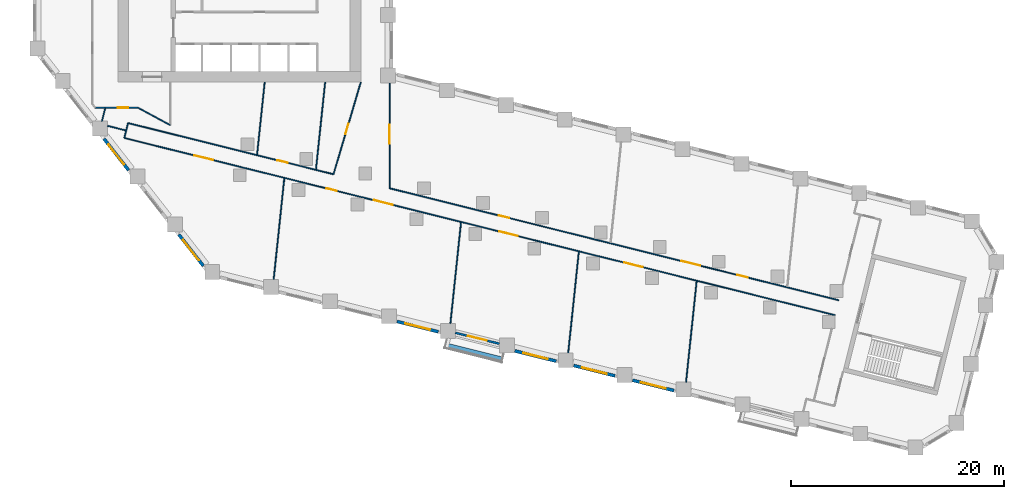
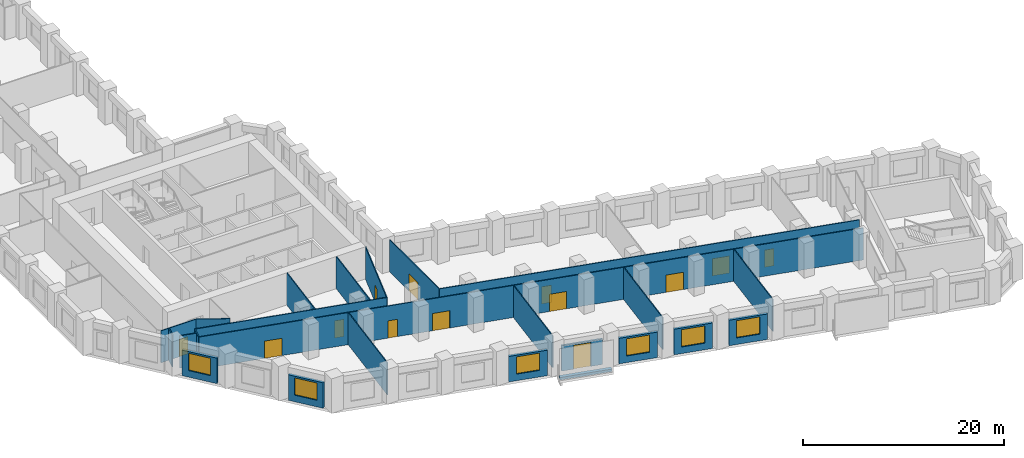
# One storey, part 3 of 11: 24 walls, 13 doors, 6 windows, 19 openings.
"""IFC4 building model written with IfcOpenShell, lengths in metres."""

from ifc_helpers import new_model, si_unit, direction, frame, frame_2d, origin, place, context, subcontext, project, spatial, rectangle, extrude, material, layer, layer_set, type_object, element, fill, save


model = new_model("IFC4")

# Units and contexts
model_context = context("Model", 3, precision=1e-05, world=origin(), true_north=direction((0.0, 1.0)))
body_context = subcontext(model_context, "Body", "Model", "MODEL_VIEW")
ifc_project = project(units=[si_unit("LENGTHUNIT", "METRE"), si_unit("AREAUNIT", "SQUARE_METRE"), si_unit("VOLUMEUNIT", "CUBIC_METRE"), si_unit("PLANEANGLEUNIT", "RADIAN"), si_unit("MASSUNIT", "GRAM", prefix="KILO")], contexts=[model_context])

# Site, building, storey
site_placement = place(None, origin())
site = spatial("IfcSite", under=ifc_project, at=site_placement, CompositionType="ELEMENT")
building_placement = place(site_placement, origin())
building = spatial("IfcBuilding", under=site, at=building_placement, Name="Meshkara Civic Tower", CompositionType="ELEMENT")
storey_placement = place(building_placement, frame((0.0, 0.0, 54.0)))
storey = spatial("IfcBuildingStorey", under=building, at=storey_placement, Name="L11", CompositionType="ELEMENT", Elevation=54.0)

# Wall, opening, door
ifc_material_1 = material(Name="Corridor wall 100")
ifc_layer_1 = layer(ifc_material_1, 0.10009765625)
ifc_layer_set_1 = layer_set([ifc_layer_1], Name="Corridor wall 100")
wall_type_1 = type_object("IfcWallType", Name="Corridor wall 100", PredefinedType="PARTITIONING", material=ifc_layer_set_1)
wall_1_placement = place(storey_placement, frame((5.867919921875, 11.699951171875, 0.0), z_axis=(0.0, 0.0, 1.0), x_axis=(1.0, 0.0, 0.0)))
wall_1 = element("IfcWall", 1, at=wall_1_placement, inside=storey, type_object=wall_type_1, Name="L11-W007", PredefinedType="PARTITIONING", context=body_context, shape_type="SweptSolid", body=[
    extrude(rectangle(XDim=4.031982421875, YDim=0.10009765625, at=frame_2d((2.01611328125, 0.0))), origin(), (0.0, 0.0, 1.0), 3.89990234375),
])
opening_1_placement = place(wall_1_placement, frame((2.10888671875, 0.0, 0.0)))
opening_1 = element("IfcOpeningElement", 2, at=opening_1_placement, cuts=wall_1, Name="Opening L11-D012", PredefinedType="OPENING", context=body_context, shape_type="SweptSolid", body=[
    extrude(rectangle(XDim=1.0, YDim=2.10009765625, at=frame_2d((0.5, 1.050048828125))), frame((0.0, 0.06005859375, 0.0), z_axis=(0.0, -1.0, 0.0), x_axis=(1.0, 0.0, 0.0)), (0.0, 0.0, 1.0), 0.1201171875),
])
ifc_material_2 = material(Name="Door 1000 x 2100")
door_type_1 = type_object("IfcDoorType", Name="Door 1000 x 2100", OperationType="SINGLE_SWING_LEFT", PredefinedType="DOOR", material=ifc_material_2)
door_1_placement = place(opening_1_placement, origin())
door_1 = element("IfcDoor", 3, at=door_1_placement, inside=storey, type_object=door_type_1, Name="L11-D012", OperationType="SINGLE_SWING_LEFT", OverallHeight=2.10009765625, OverallWidth=1.0, PredefinedType="DOOR", context=body_context, shape_type="SweptSolid", body=[
    extrude(rectangle(XDim=1.0, YDim=2.10009765625, at=frame_2d((0.5, 1.050048828125))), frame((0.0, 0.02490234375, 0.0), z_axis=(0.0, -1.0, 0.0), x_axis=(1.0, 0.0, 0.0)), (0.0, 0.0, 1.0), 0.050048828125),
])
fill(opening_1, door_1)

# Wall, openings, doors
wall_2_placement = place(storey_placement, frame((8.593994140625, 8.862060546875, 0.0), z_axis=(0.0, 0.0, 1.0), x_axis=(0.970292243361, -0.241935864379, 0.0)))
wall_2 = element("IfcWall", 4, at=wall_2_placement, inside=storey, type_object=wall_type_1, Name="L11-W009", PredefinedType="PARTITIONING", context=body_context, shape_type="SweptSolid", body=[
    extrude(rectangle(XDim=68.775146484375, YDim=0.10009765625, at=frame_2d((34.3876953125, 0.0))), origin(), (0.0, 0.0, 1.0), 3.89990234375),
])
opening_2_placement = place(wall_2_placement, frame((36.264892578125, 0.0, 0.0)))
opening_2 = element("IfcOpeningElement", 5, at=opening_2_placement, cuts=wall_2, Name="Opening L11-D003", PredefinedType="OPENING", context=body_context, shape_type="SweptSolid", body=[
    extrude(rectangle(XDim=1.800048828125, YDim=2.10009765625, at=frame_2d((0.89990234375, 1.050048828125))), frame((0.0, 0.06005859375, 0.0), z_axis=(0.0, -1.0, 0.0), x_axis=(1.0, 0.0, 0.0)), (0.0, 0.0, 1.0), 0.1201171875),
])
opening_3_placement = place(wall_2_placement, frame((48.364990234375, 0.0, 0.0)))
opening_3 = element("IfcOpeningElement", 6, at=opening_3_placement, cuts=wall_2, Name="Opening L11-D004", PredefinedType="OPENING", context=body_context, shape_type="SweptSolid", body=[
    extrude(rectangle(XDim=1.800048828125, YDim=2.10009765625, at=frame_2d((0.89990234375, 1.050048828125))), frame((0.0, 0.06005859375, 0.0), z_axis=(0.0, -1.0, 0.0), x_axis=(1.0, 0.0, 0.0)), (0.0, 0.0, 1.0), 0.1201171875),
])
opening_4_placement = place(wall_2_placement, frame((19.56494140625, 0.0, 0.0)))
opening_4 = element("IfcOpeningElement", 7, at=opening_4_placement, cuts=wall_2, Name="Opening L11-D008", PredefinedType="OPENING", context=body_context, shape_type="SweptSolid", body=[
    extrude(rectangle(XDim=1.0, YDim=2.10009765625, at=frame_2d((0.5, 1.050048828125))), frame((0.0, 0.06005859375, 0.0), z_axis=(0.0, -1.0, 0.0), x_axis=(1.0, 0.0, 0.0)), (0.0, 0.0, 1.0), 0.1201171875),
])
opening_5_placement = place(wall_2_placement, frame((24.1650390625, 0.0, 0.0)))
opening_5 = element("IfcOpeningElement", 8, at=opening_5_placement, cuts=wall_2, Name="Opening L11-D009", PredefinedType="OPENING", context=body_context, shape_type="SweptSolid", body=[
    extrude(rectangle(XDim=1.800048828125, YDim=2.10009765625, at=frame_2d((0.89990234375, 1.050048828125))), frame((0.0, 0.06005859375, 0.0), z_axis=(0.0, -1.0, 0.0), x_axis=(1.0, 0.0, 0.0)), (0.0, 0.0, 1.0), 0.1201171875),
])
opening_6_placement = place(wall_2_placement, frame((6.780029296875, 0.0, 0.0)))
opening_6 = element("IfcOpeningElement", 9, at=opening_6_placement, cuts=wall_2, Name="Opening L11-D013", PredefinedType="OPENING", context=body_context, shape_type="SweptSolid", body=[
    extrude(rectangle(XDim=1.800048828125, YDim=2.10009765625, at=frame_2d((0.89990234375, 1.050048828125))), frame((0.0, 0.06005859375, 0.0), z_axis=(0.0, -1.0, 0.0), x_axis=(1.0, 0.0, 0.0)), (0.0, 0.0, 1.0), 0.1201171875),
])
door_2_placement = place(opening_4_placement, origin())
door_2 = element("IfcDoor", 10, at=door_2_placement, inside=storey, type_object=door_type_1, Name="L11-D008", OperationType="SINGLE_SWING_RIGHT", OverallHeight=2.10009765625, OverallWidth=1.0, PredefinedType="DOOR", context=body_context, shape_type="SweptSolid", body=[
    extrude(rectangle(XDim=1.0, YDim=2.10009765625, at=frame_2d((0.5, 1.050048828125))), frame((0.0, 0.02490234375, 0.0), z_axis=(0.0, -1.0, 0.0), x_axis=(1.0, 0.0, 0.0)), (0.0, 0.0, 1.0), 0.050048828125),
])
fill(opening_4, door_2)
ifc_material_3 = material(Name="Door pair 1800 x 2100")
door_type_2 = type_object("IfcDoorType", Name="Door pair 1800 x 2100", OperationType="SINGLE_SWING_LEFT", PredefinedType="DOOR", material=ifc_material_3)
door_3_placement = place(opening_2_placement, origin())
door_3 = element("IfcDoor", 11, at=door_3_placement, inside=storey, type_object=door_type_2, Name="L11-D003", OperationType="DOUBLE_DOOR_SINGLE_SWING", OverallHeight=2.10009765625, OverallWidth=1.800048828125, PredefinedType="DOOR", context=body_context, shape_type="SweptSolid", body=[
    extrude(rectangle(XDim=1.800048828125, YDim=2.10009765625, at=frame_2d((0.89990234375, 1.050048828125))), frame((0.0, 0.02490234375, 0.0), z_axis=(0.0, -1.0, 0.0), x_axis=(1.0, 0.0, 0.0)), (0.0, 0.0, 1.0), 0.050048828125),
])
fill(opening_2, door_3)
door_4_placement = place(opening_3_placement, origin())
door_4 = element("IfcDoor", 12, at=door_4_placement, inside=storey, type_object=door_type_2, Name="L11-D004", OperationType="DOUBLE_DOOR_SINGLE_SWING", OverallHeight=2.10009765625, OverallWidth=1.800048828125, PredefinedType="DOOR", context=body_context, shape_type="SweptSolid", body=[
    extrude(rectangle(XDim=1.800048828125, YDim=2.10009765625, at=frame_2d((0.89990234375, 1.050048828125))), frame((0.0, 0.02490234375, 0.0), z_axis=(0.0, -1.0, 0.0), x_axis=(1.0, 0.0, 0.0)), (0.0, 0.0, 1.0), 0.050048828125),
])
fill(opening_3, door_4)
door_5_placement = place(opening_5_placement, origin())
door_5 = element("IfcDoor", 13, at=door_5_placement, inside=storey, type_object=door_type_2, Name="L11-D009", OperationType="DOUBLE_DOOR_SINGLE_SWING", OverallHeight=2.10009765625, OverallWidth=1.800048828125, PredefinedType="DOOR", context=body_context, shape_type="SweptSolid", body=[
    extrude(rectangle(XDim=1.800048828125, YDim=2.10009765625, at=frame_2d((0.89990234375, 1.050048828125))), frame((0.0, 0.02490234375, 0.0), z_axis=(0.0, -1.0, 0.0), x_axis=(1.0, 0.0, 0.0)), (0.0, 0.0, 1.0), 0.050048828125),
])
fill(opening_5, door_5)
door_6_placement = place(opening_6_placement, origin())
door_6 = element("IfcDoor", 14, at=door_6_placement, inside=storey, type_object=door_type_2, Name="L11-D013", OperationType="DOUBLE_DOOR_SINGLE_SWING", OverallHeight=2.10009765625, OverallWidth=1.800048828125, PredefinedType="DOOR", context=body_context, shape_type="SweptSolid", body=[
    extrude(rectangle(XDim=1.800048828125, YDim=2.10009765625, at=frame_2d((0.89990234375, 1.050048828125))), frame((0.0, 0.02490234375, 0.0), z_axis=(0.0, -1.0, 0.0), x_axis=(1.0, 0.0, 0.0)), (0.0, 0.0, 1.0), 0.050048828125),
])
fill(opening_6, door_6)

# Wall, opening, door
wall_3_placement = place(storey_placement, frame((8.944091796875, 10.263916015625, 0.0), z_axis=(0.0, 0.0, 1.0), x_axis=(0.970300504447, -0.241902730595, 0.0)))
wall_3 = element("IfcWall", 15, at=wall_3_placement, inside=storey, type_object=wall_type_1, Name="L11-W010", PredefinedType="PARTITIONING", context=body_context, shape_type="SweptSolid", body=[
    extrude(rectangle(XDim=19.879150390625, YDim=0.10009765625, at=frame_2d((9.939453125, 0.0))), origin(), (0.0, 0.0, 1.0), 3.89990234375),
])
opening_7_placement = place(wall_3_placement, frame((14.449951171875, 0.0, 0.0)))
opening_7 = element("IfcOpeningElement", 16, at=opening_7_placement, cuts=wall_3, Name="Opening L11-D014", PredefinedType="OPENING", context=body_context, shape_type="SweptSolid", body=[
    extrude(rectangle(XDim=1.0, YDim=2.10009765625, at=frame_2d((0.5, 1.050048828125))), frame((0.0, 0.06005859375, 0.0), z_axis=(0.0, -1.0, 0.0), x_axis=(1.0, 0.0, 0.0)), (0.0, 0.0, 1.0), 0.1201171875),
])
door_7_placement = place(opening_7_placement, origin())
door_7 = element("IfcDoor", 17, at=door_7_placement, inside=storey, type_object=door_type_1, Name="L11-D014", OperationType="SINGLE_SWING_LEFT", OverallHeight=2.10009765625, OverallWidth=1.0, PredefinedType="DOOR", context=body_context, shape_type="SweptSolid", body=[
    extrude(rectangle(XDim=1.0, YDim=2.10009765625, at=frame_2d((0.5, 1.050048828125))), frame((0.0, 0.02490234375, 0.0), z_axis=(0.0, -1.0, 0.0), x_axis=(1.0, 0.0, 0.0)), (0.0, 0.0, 1.0), 0.050048828125),
])
fill(opening_7, door_7)

# Walls
wall_4_placement = place(storey_placement, frame((8.944091796875, 10.263916015625, 0.0), z_axis=(0.0, 0.0, 1.0), x_axis=(-0.242297077633, -0.970202105837, 0.0)))
element("IfcWall", 18, at=wall_4_placement, inside=storey, type_object=wall_type_1, Name="L11-W011", PredefinedType="PARTITIONING", context=body_context, shape_type="SweptSolid", body=[
    extrude(rectangle(XDim=1.44482421875, YDim=0.10009765625, at=frame_2d((0.722412109375, 0.0))), origin(), (0.0, 0.0, 1.0), 3.89990234375),
])
wall_5_placement = place(storey_placement, frame((9.89990234375, 11.699951171875, 0.0), z_axis=(0.0, 0.0, 1.0), x_axis=(0.87965147249, -0.475618846291, 0.0)))
element("IfcWall", 19, at=wall_5_placement, inside=storey, type_object=wall_type_1, Name="L11-W012", PredefinedType="PARTITIONING", context=body_context, shape_type="SweptSolid", body=[
    extrude(rectangle(XDim=3.410400390625, YDim=0.10009765625, at=frame_2d((1.705078125, 0.0))), origin(), (0.0, 0.0, 1.0), 3.89990234375),
])

# Wall, opening, door
wall_6_placement = place(storey_placement, frame((30.800048828125, 14.10009765625, 0.0), z_axis=(0.0, 0.0, 1.0), x_axis=(-0.284664373847, -0.95862724469, 0.0)))
wall_6 = element("IfcWall", 20, at=wall_6_placement, inside=storey, type_object=wall_type_1, Name="L11-W022", PredefinedType="PARTITIONING", context=body_context, shape_type="SweptSolid", body=[
    extrude(rectangle(XDim=9.01806640625, YDim=0.10009765625, at=frame_2d((4.509033203125, 0.0))), origin(), (0.0, 0.0, 1.0), 3.89990234375),
])
opening_8_placement = place(wall_6_placement, frame((4.080078125, 0.0, 0.0)))
opening_8 = element("IfcOpeningElement", 21, at=opening_8_placement, cuts=wall_6, Name="Opening L11-D015", PredefinedType="OPENING", context=body_context, shape_type="SweptSolid", body=[
    extrude(rectangle(XDim=1.0, YDim=2.10009765625, at=frame_2d((0.5, 1.050048828125))), frame((0.0, 0.06005859375, 0.0), z_axis=(0.0, -1.0, 0.0), x_axis=(1.0, 0.0, 0.0)), (0.0, 0.0, 1.0), 0.1201171875),
])
door_8_placement = place(opening_8_placement, origin())
door_8 = element("IfcDoor", 22, at=door_8_placement, inside=storey, type_object=door_type_1, Name="L11-D015", OperationType="SINGLE_SWING_LEFT", OverallHeight=2.10009765625, OverallWidth=1.0, PredefinedType="DOOR", context=body_context, shape_type="SweptSolid", body=[
    extrude(rectangle(XDim=1.0, YDim=2.10009765625, at=frame_2d((0.5, 1.050048828125))), frame((0.0, 0.02490234375, 0.0), z_axis=(0.0, -1.0, 0.0), x_axis=(1.0, 0.0, 0.0)), (0.0, 0.0, 1.0), 0.050048828125),
])
fill(opening_8, door_8)

# Wall, openings, doors
wall_7_placement = place(storey_placement, frame((33.5, 4.14111328125, 0.0), z_axis=(0.0, 0.0, 1.0), x_axis=(0.970298574657, -0.24191047108, 0.0)))
wall_7 = element("IfcWall", 23, at=wall_7_placement, inside=storey, type_object=wall_type_1, Name="L11-W023", PredefinedType="PARTITIONING", context=body_context, shape_type="SweptSolid", body=[
    extrude(rectangle(XDim=43.467041015625, YDim=0.10009765625, at=frame_2d((21.7333984375, 0.0))), origin(), (0.0, 0.0, 1.0), 3.89990234375),
])
opening_9_placement = place(wall_7_placement, frame((28.242919921875, 0.0, 0.0)))
opening_9 = element("IfcOpeningElement", 24, at=opening_9_placement, cuts=wall_7, Name="Opening L11-D005", PredefinedType="OPENING", context=body_context, shape_type="SweptSolid", body=[
    extrude(rectangle(XDim=1.800048828125, YDim=2.10009765625, at=frame_2d((0.89990234375, 1.050048828125))), frame((0.0, 0.06005859375, 0.0), z_axis=(0.0, -1.0, 0.0), x_axis=(1.0, 0.0, 0.0)), (0.0, 0.0, 1.0), 0.1201171875),
])
opening_10_placement = place(wall_7_placement, frame((33.64306640625, 0.0, 0.0)))
opening_10 = element("IfcOpeningElement", 25, at=opening_10_placement, cuts=wall_7, Name="Opening L11-D006", PredefinedType="OPENING", context=body_context, shape_type="SweptSolid", body=[
    extrude(rectangle(XDim=1.0, YDim=2.10009765625, at=frame_2d((0.5, 1.050048828125))), frame((0.0, 0.06005859375, 0.0), z_axis=(0.0, -1.0, 0.0), x_axis=(1.0, 0.0, 0.0)), (0.0, 0.0, 1.0), 0.1201171875),
])
opening_11_placement = place(wall_7_placement, frame((10.580078125, 0.0, 0.0)))
opening_11 = element("IfcOpeningElement", 26, at=opening_11_placement, cuts=wall_7, Name="Opening L11-D010", PredefinedType="OPENING", context=body_context, shape_type="SweptSolid", body=[
    extrude(rectangle(XDim=1.0, YDim=2.10009765625, at=frame_2d((0.5, 1.050048828125))), frame((0.0, 0.06005859375, 0.0), z_axis=(0.0, -1.0, 0.0), x_axis=(1.0, 0.0, 0.0)), (0.0, 0.0, 1.0), 0.1201171875),
])
door_9_placement = place(opening_10_placement, origin())
door_9 = element("IfcDoor", 27, at=door_9_placement, inside=storey, type_object=door_type_1, Name="L11-D006", OperationType="SINGLE_SWING_RIGHT", OverallHeight=2.10009765625, OverallWidth=1.0, PredefinedType="DOOR", context=body_context, shape_type="SweptSolid", body=[
    extrude(rectangle(XDim=1.0, YDim=2.10009765625, at=frame_2d((0.5, 1.050048828125))), frame((0.0, 0.02490234375, 0.0), z_axis=(0.0, -1.0, 0.0), x_axis=(1.0, 0.0, 0.0)), (0.0, 0.0, 1.0), 0.050048828125),
])
fill(opening_10, door_9)
door_10_placement = place(opening_11_placement, origin())
door_10 = element("IfcDoor", 28, at=door_10_placement, inside=storey, type_object=door_type_1, Name="L11-D010", OperationType="SINGLE_SWING_RIGHT", OverallHeight=2.10009765625, OverallWidth=1.0, PredefinedType="DOOR", context=body_context, shape_type="SweptSolid", body=[
    extrude(rectangle(XDim=1.0, YDim=2.10009765625, at=frame_2d((0.5, 1.050048828125))), frame((0.0, 0.02490234375, 0.0), z_axis=(0.0, -1.0, 0.0), x_axis=(1.0, 0.0, 0.0)), (0.0, 0.0, 1.0), 0.050048828125),
])
fill(opening_11, door_10)
door_11_placement = place(opening_9_placement, origin())
door_11 = element("IfcDoor", 29, at=door_11_placement, inside=storey, type_object=door_type_2, Name="L11-D005", OperationType="DOUBLE_DOOR_SINGLE_SWING", OverallHeight=2.10009765625, OverallWidth=1.800048828125, PredefinedType="DOOR", context=body_context, shape_type="SweptSolid", body=[
    extrude(rectangle(XDim=1.800048828125, YDim=2.10009765625, at=frame_2d((0.89990234375, 1.050048828125))), frame((0.0, 0.02490234375, 0.0), z_axis=(0.0, -1.0, 0.0), x_axis=(1.0, 0.0, 0.0)), (0.0, 0.0, 1.0), 0.050048828125),
])
fill(opening_9, door_11)

# Wall, opening, door
wall_8_placement = place(storey_placement, frame((33.5, 4.14111328125, 0.0), z_axis=(0.0, 0.0, 1.0), x_axis=(0.0, 1.0, 0.0)))
wall_8 = element("IfcWall", 30, at=wall_8_placement, inside=storey, type_object=wall_type_1, Name="L11-W024", PredefinedType="PARTITIONING", context=body_context, shape_type="SweptSolid", body=[
    extrude(rectangle(XDim=9.8779296875, YDim=0.10009765625, at=frame_2d((4.93896484375, 0.0))), origin(), (0.0, 0.0, 1.0), 3.89990234375),
])
opening_12_placement = place(wall_8_placement, frame((4.179931640625, 0.0, 0.0)))
opening_12 = element("IfcOpeningElement", 31, at=opening_12_placement, cuts=wall_8, Name="Opening L11-D016", PredefinedType="OPENING", context=body_context, shape_type="SweptSolid", body=[
    extrude(rectangle(XDim=1.800048828125, YDim=2.10009765625, at=frame_2d((0.89990234375, 1.050048828125))), frame((0.0, 0.06005859375, 0.0), z_axis=(0.0, -1.0, 0.0), x_axis=(1.0, 0.0, 0.0)), (0.0, 0.0, 1.0), 0.1201171875),
])
door_12_placement = place(opening_12_placement, origin())
door_12 = element("IfcDoor", 32, at=door_12_placement, inside=storey, type_object=door_type_2, Name="L11-D016", OperationType="DOUBLE_DOOR_SINGLE_SWING", OverallHeight=2.10009765625, OverallWidth=1.800048828125, PredefinedType="DOOR", context=body_context, shape_type="SweptSolid", body=[
    extrude(rectangle(XDim=1.800048828125, YDim=2.10009765625, at=frame_2d((0.89990234375, 1.050048828125))), frame((0.0, 0.02490234375, 0.0), z_axis=(0.0, -1.0, 0.0), x_axis=(1.0, 0.0, 0.0)), (0.0, 0.0, 1.0), 0.050048828125),
])
fill(opening_12, door_12)

# Wall, opening, window
ifc_material_4 = material(Name="Insulated infill panel with bronze anodised aluminium cladding", Category="aluminium")
ifc_layer_2 = layer(ifc_material_4, 0.300048828125)
ifc_layer_set_2 = layer_set([ifc_layer_2], Name="EXTERNAL INFILL WALL 300")
wall_type_2 = type_object("IfcWallType", Name="EXTERNAL INFILL WALL 300", PredefinedType="SOLIDWALL", material=ifc_layer_set_2)
wall_9_placement = place(storey_placement, frame((6.69189453125, 8.778076171875, 0.0), z_axis=(0.0, 0.0, 1.0), x_axis=(0.615767067156, -0.787928244833, 0.0)))
wall_9 = element("IfcWall", 33, at=wall_9_placement, inside=storey, type_object=wall_type_2, Name="External wall", PredefinedType="SOLIDWALL", context=body_context, shape_type="SweptSolid", body=[
    extrude(rectangle(XDim=3.7353515625, YDim=0.300048828125, at=frame_2d((1.86767578125, 0.0))), origin(), (0.0, 0.0, 1.0), 3.10009765625),
])
opening_13_placement = place(wall_9_placement, frame((0.66796875, 0.0, 0.800048828125)))
opening_13 = element("IfcOpeningElement", 34, at=opening_13_placement, cuts=wall_9, Name="Opening W7", PredefinedType="OPENING", context=body_context, shape_type="SweptSolid", body=[
    extrude(rectangle(XDim=2.39990234375, YDim=2.10009765625, at=frame_2d((1.199951171875, 1.050048828125))), frame((0.0, 0.159912109375, 0.0), z_axis=(0.0, -1.0, 0.0), x_axis=(1.0, 0.0, 0.0)), (0.0, 0.0, 1.0), 0.320068359375),
])
ifc_material_5 = material(Name="Tinted double glazing", Category="glass")
window_type = type_object("IfcWindowType", Name="WINDOW 2400x2100", PartitioningType="DOUBLE_PANEL_VERTICAL", PredefinedType="WINDOW", material=ifc_material_5)
window_1_placement = place(opening_13_placement, origin())
window_1 = element("IfcWindow", 35, at=window_1_placement, inside=storey, type_object=window_type, Name="Window", OverallHeight=2.10009765625, OverallWidth=2.39990234375, PartitioningType="DOUBLE_PANEL_VERTICAL", PredefinedType="WINDOW", context=body_context, shape_type="SweptSolid", body=[
    extrude(rectangle(XDim=2.39990234375, YDim=2.10009765625, at=frame_2d((1.199951171875, 1.050048828125))), frame((0.0, 0.030029296875, 0.0), z_axis=(0.0, -1.0, 0.0), x_axis=(1.0, 0.0, 0.0)), (0.0, 0.0, 1.0), 0.06005859375),
])
fill(opening_13, window_1)

wall_10_placement = place(storey_placement, frame((13.7099609375, -0.205078125, 0.0), z_axis=(0.0, 0.0, 1.0), x_axis=(0.615798780214, -0.787903460004, 0.0)))
wall_10 = element("IfcWall", 36, at=wall_10_placement, inside=storey, type_object=wall_type_2, Name="External wall", PredefinedType="SOLIDWALL", context=body_context, shape_type="SweptSolid", body=[
    extrude(rectangle(XDim=3.735107421875, YDim=0.300048828125, at=frame_2d((1.86767578125, 0.0))), origin(), (0.0, 0.0, 1.0), 3.10009765625),
])
opening_14_placement = place(wall_10_placement, frame((0.6669921875, 0.0, 0.800048828125)))
opening_14 = element("IfcOpeningElement", 37, at=opening_14_placement, cuts=wall_10, Name="Opening W7", PredefinedType="OPENING", context=body_context, shape_type="SweptSolid", body=[
    extrude(rectangle(XDim=2.39990234375, YDim=2.10009765625, at=frame_2d((1.199951171875, 1.050048828125))), frame((0.0, 0.159912109375, 0.0), z_axis=(0.0, -1.0, 0.0), x_axis=(1.0, 0.0, 0.0)), (0.0, 0.0, 1.0), 0.320068359375),
])
window_2_placement = place(opening_14_placement, origin())
window_2 = element("IfcWindow", 38, at=window_2_placement, inside=storey, type_object=window_type, Name="Window", OverallHeight=2.10009765625, OverallWidth=2.39990234375, PartitioningType="DOUBLE_PANEL_VERTICAL", PredefinedType="WINDOW", context=body_context, shape_type="SweptSolid", body=[
    extrude(rectangle(XDim=2.39990234375, YDim=2.10009765625, at=frame_2d((1.199951171875, 1.050048828125))), frame((0.0, 0.030029296875, 0.0), z_axis=(0.0, -1.0, 0.0), x_axis=(1.0, 0.0, 0.0)), (0.0, 0.0, 1.0), 0.06005859375),
])
fill(opening_14, window_2)

wall_11_placement = place(storey_placement, frame((34.194091796875, -8.37109375, 0.0), z_axis=(0.0, 0.0, 1.0), x_axis=(0.970314477803, -0.241846674911, 0.0)))
wall_11 = element("IfcWall", 39, at=wall_11_placement, inside=storey, type_object=wall_type_2, Name="External wall", PredefinedType="SOLIDWALL", context=body_context, shape_type="SweptSolid", body=[
    extrude(rectangle(XDim=4.002685546875, YDim=0.300048828125, at=frame_2d((2.00146484375, 0.0))), origin(), (0.0, 0.0, 1.0), 3.10009765625),
])
opening_15_placement = place(wall_11_placement, frame((0.802001953125, 0.0, 0.800048828125)))
opening_15 = element("IfcOpeningElement", 40, at=opening_15_placement, cuts=wall_11, Name="Opening W7", PredefinedType="OPENING", context=body_context, shape_type="SweptSolid", body=[
    extrude(rectangle(XDim=2.39990234375, YDim=2.10009765625, at=frame_2d((1.199951171875, 1.050048828125))), frame((0.0, 0.159912109375, 0.0), z_axis=(0.0, -1.0, 0.0), x_axis=(1.0, 0.0, 0.0)), (0.0, 0.0, 1.0), 0.320068359375),
])
window_3_placement = place(opening_15_placement, origin())
window_3 = element("IfcWindow", 41, at=window_3_placement, inside=storey, type_object=window_type, Name="Window", OverallHeight=2.10009765625, OverallWidth=2.39990234375, PartitioningType="DOUBLE_PANEL_VERTICAL", PredefinedType="WINDOW", context=body_context, shape_type="SweptSolid", body=[
    extrude(rectangle(XDim=2.39990234375, YDim=2.10009765625, at=frame_2d((1.199951171875, 1.050048828125))), frame((0.0, 0.030029296875, 0.0), z_axis=(0.0, -1.0, 0.0), x_axis=(1.0, 0.0, 0.0)), (0.0, 0.0, 1.0), 0.06005859375),
])
fill(opening_15, window_3)

wall_12_placement = place(storey_placement, frame((45.256103515625, -11.12890625, 0.0), z_axis=(0.0, 0.0, 1.0), x_axis=(0.970300202301, -0.241903942538, 0.0)))
wall_12 = element("IfcWall", 42, at=wall_12_placement, inside=storey, type_object=wall_type_2, Name="External wall", PredefinedType="SOLIDWALL", context=body_context, shape_type="SweptSolid", body=[
    extrude(rectangle(XDim=4.001708984375, YDim=0.300048828125, at=frame_2d((2.0009765625, 0.0))), origin(), (0.0, 0.0, 1.0), 3.10009765625),
])
opening_16_placement = place(wall_12_placement, frame((0.801025390625, 0.0, 0.800048828125)))
opening_16 = element("IfcOpeningElement", 43, at=opening_16_placement, cuts=wall_12, Name="Opening W7", PredefinedType="OPENING", context=body_context, shape_type="SweptSolid", body=[
    extrude(rectangle(XDim=2.39990234375, YDim=2.10009765625, at=frame_2d((1.199951171875, 1.050048828125))), frame((0.0, 0.159912109375, 0.0), z_axis=(0.0, -1.0, 0.0), x_axis=(1.0, 0.0, 0.0)), (0.0, 0.0, 1.0), 0.320068359375),
])
window_4_placement = place(opening_16_placement, origin())
window_4 = element("IfcWindow", 44, at=window_4_placement, inside=storey, type_object=window_type, Name="Window", OverallHeight=2.10009765625, OverallWidth=2.39990234375, PartitioningType="DOUBLE_PANEL_VERTICAL", PredefinedType="WINDOW", context=body_context, shape_type="SweptSolid", body=[
    extrude(rectangle(XDim=2.39990234375, YDim=2.10009765625, at=frame_2d((1.199951171875, 1.050048828125))), frame((0.0, 0.030029296875, 0.0), z_axis=(0.0, -1.0, 0.0), x_axis=(1.0, 0.0, 0.0)), (0.0, 0.0, 1.0), 0.06005859375),
])
fill(opening_16, window_4)

wall_13_placement = place(storey_placement, frame((50.785888671875, -12.508056640625, 0.0), z_axis=(0.0, 0.0, 1.0), x_axis=(0.970318045095, -0.24183236211, 0.0)))
wall_13 = element("IfcWall", 45, at=wall_13_placement, inside=storey, type_object=wall_type_2, Name="External wall", PredefinedType="SOLIDWALL", context=body_context, shape_type="SweptSolid", body=[
    extrude(rectangle(XDim=4.0029296875, YDim=0.300048828125, at=frame_2d((2.00146484375, 0.0))), origin(), (0.0, 0.0, 1.0), 3.10009765625),
])
opening_17_placement = place(wall_13_placement, frame((0.802001953125, 0.0, 0.800048828125)))
opening_17 = element("IfcOpeningElement", 46, at=opening_17_placement, cuts=wall_13, Name="Opening W7", PredefinedType="OPENING", context=body_context, shape_type="SweptSolid", body=[
    extrude(rectangle(XDim=2.39990234375, YDim=2.10009765625, at=frame_2d((1.199951171875, 1.050048828125))), frame((0.0, 0.159912109375, 0.0), z_axis=(0.0, -1.0, 0.0), x_axis=(1.0, 0.0, 0.0)), (0.0, 0.0, 1.0), 0.320068359375),
])
window_5_placement = place(opening_17_placement, origin())
window_5 = element("IfcWindow", 47, at=window_5_placement, inside=storey, type_object=window_type, Name="Window", OverallHeight=2.10009765625, OverallWidth=2.39990234375, PartitioningType="DOUBLE_PANEL_VERTICAL", PredefinedType="WINDOW", context=body_context, shape_type="SweptSolid", body=[
    extrude(rectangle(XDim=2.39990234375, YDim=2.10009765625, at=frame_2d((1.199951171875, 1.050048828125))), frame((0.0, 0.030029296875, 0.0), z_axis=(0.0, -1.0, 0.0), x_axis=(1.0, 0.0, 0.0)), (0.0, 0.0, 1.0), 0.06005859375),
])
fill(opening_17, window_5)

wall_14_placement = place(storey_placement, frame((56.31689453125, -13.886962890625, 0.0), z_axis=(0.0, 0.0, 1.0), x_axis=(0.970318045095, -0.24183236211, 0.0)))
wall_14 = element("IfcWall", 48, at=wall_14_placement, inside=storey, type_object=wall_type_2, Name="External wall", PredefinedType="SOLIDWALL", context=body_context, shape_type="SweptSolid", body=[
    extrude(rectangle(XDim=4.0029296875, YDim=0.300048828125, at=frame_2d((2.00146484375, 0.0))), origin(), (0.0, 0.0, 1.0), 3.10009765625),
])
opening_18_placement = place(wall_14_placement, frame((0.802001953125, 0.0, 0.800048828125)))
opening_18 = element("IfcOpeningElement", 49, at=opening_18_placement, cuts=wall_14, Name="Opening W7", PredefinedType="OPENING", context=body_context, shape_type="SweptSolid", body=[
    extrude(rectangle(XDim=2.39990234375, YDim=2.10009765625, at=frame_2d((1.199951171875, 1.050048828125))), frame((0.0, 0.159912109375, 0.0), z_axis=(0.0, -1.0, 0.0), x_axis=(1.0, 0.0, 0.0)), (0.0, 0.0, 1.0), 0.320068359375),
])
window_6_placement = place(opening_18_placement, origin())
window_6 = element("IfcWindow", 50, at=window_6_placement, inside=storey, type_object=window_type, Name="Window", OverallHeight=2.10009765625, OverallWidth=2.39990234375, PartitioningType="DOUBLE_PANEL_VERTICAL", PredefinedType="WINDOW", context=body_context, shape_type="SweptSolid", body=[
    extrude(rectangle(XDim=2.39990234375, YDim=2.10009765625, at=frame_2d((1.199951171875, 1.050048828125))), frame((0.0, 0.030029296875, 0.0), z_axis=(0.0, -1.0, 0.0), x_axis=(1.0, 0.0, 0.0)), (0.0, 0.0, 1.0), 0.06005859375),
])
fill(opening_18, window_6)

# Wall, opening, door
ifc_material_6 = material(Name="Insulated infill panel with bronze anodised aluminium cladding", Category="aluminium")
ifc_layer_3 = layer(ifc_material_6, 0.199951171875)
ifc_layer_set_3 = layer_set([ifc_layer_3], Name="LOGGIA BACK WALL 200")
wall_type_3 = type_object("IfcWallType", Name="LOGGIA BACK WALL 200", PredefinedType="SOLIDWALL", material=ifc_layer_set_3)
wall_15_placement = place(storey_placement, frame((39.674072265625, -9.427978515625, 0.0), z_axis=(0.0, 0.0, 1.0), x_axis=(0.970290742877, -0.241941882045, 0.0)))
wall_15 = element("IfcWall", 51, at=wall_15_placement, inside=storey, type_object=wall_type_3, Name="Loggia wall", PredefinedType="SOLIDWALL", context=body_context, shape_type="SweptSolid", body=[
    extrude(rectangle(XDim=4.25732421875, YDim=0.199951171875, at=frame_2d((2.128662109375, 0.0))), origin(), (0.0, 0.0, 1.0), 3.10009765625),
])
opening_19_placement = place(wall_15_placement, frame((1.22802734375, 0.0, 0.0)))
opening_19 = element("IfcOpeningElement", 52, at=opening_19_placement, cuts=wall_15, Name="Opening L11-L003", PredefinedType="OPENING", context=body_context, shape_type="SweptSolid", body=[
    extrude(rectangle(XDim=1.800048828125, YDim=2.89990234375, at=frame_2d((0.89990234375, 1.449951171875))), frame((0.0, 0.10986328125, 0.0), z_axis=(0.0, -1.0, 0.0), x_axis=(1.0, 0.0, 0.0)), (0.0, 0.0, 1.0), 0.219970703125),
])
ifc_material_7 = material(Name="Tinted double glazing", Category="glass")
door_type_3 = type_object("IfcDoorType", Name="LOGGIA DOOR 1800x2900", OperationType="DOUBLE_DOOR_SINGLE_SWING", PredefinedType="DOOR", material=ifc_material_7)
door_13_placement = place(opening_19_placement, origin())
door_13 = element("IfcDoor", 53, at=door_13_placement, inside=storey, type_object=door_type_3, Name="L11-L003", OperationType="DOUBLE_DOOR_SINGLE_SWING", OverallHeight=2.89990234375, OverallWidth=1.800048828125, PredefinedType="DOOR", context=body_context, shape_type="SweptSolid", body=[
    extrude(rectangle(XDim=1.800048828125, YDim=2.89990234375, at=frame_2d((0.89990234375, 1.449951171875))), frame((0.0, 0.02490234375, 0.0), z_axis=(0.0, -1.0, 0.0), x_axis=(1.0, 0.0, 0.0)), (0.0, 0.0, 1.0), 0.050048828125),
])
fill(opening_19, door_13)

# Walls
ifc_material_8 = material(Name="Concrete C40", Category="concrete")
ifc_layer_4 = layer(ifc_material_8, 0.39990234375)
ifc_layer_set_4 = layer_set([ifc_layer_4], Name="PLANTER TRAY")
wall_type_4 = type_object("IfcWallType", Name="PLANTER TRAY", PredefinedType="SOLIDWALL", material=ifc_layer_set_4)
wall_16_placement = place(storey_placement, frame((38.81689453125, -10.5849609375, 0.0), z_axis=(0.0, 0.0, 1.0), x_axis=(0.970281652924, -0.241978333739, 0.0)))
element("IfcWall", 54, at=wall_16_placement, inside=storey, type_object=wall_type_4, Name="Planter", PredefinedType="SOLIDWALL", context=body_context, shape_type="SweptSolid", body=[
    extrude(rectangle(XDim=5.360595703125, YDim=0.39990234375, at=frame_2d((2.68017578125, 0.0))), origin(), (0.0, 0.0, 1.0), 0.300048828125),
])
ifc_material_9 = material(Name="Partition 100")
ifc_layer_5 = layer(ifc_material_9, 0.10009765625)
ifc_layer_set_5 = layer_set([ifc_layer_5], Name="Partition 100")
wall_type_5 = type_object("IfcWallType", Name="Partition 100", PredefinedType="PARTITIONING", material=ifc_layer_set_5)
wall_17_placement = place(storey_placement, frame((6.797119140625, 11.637939453125, 0.0), z_axis=(0.0, 0.0, 1.0), x_axis=(-0.242396400943, -0.970177295555, 0.0)))
element("IfcWall", 55, at=wall_17_placement, inside=storey, type_object=wall_type_5, Name="L11-W038", PredefinedType="PARTITIONING", context=body_context, shape_type="SweptSolid", body=[
    extrude(rectangle(XDim=1.23779296875, YDim=0.10009765625, at=frame_2d((0.618896484375, 0.0))), origin(), (0.0, 0.0, 1.0), 3.89990234375),
])
wall_18_placement = place(storey_placement, frame((8.719970703125, 9.573974609375, 0.0), z_axis=(0.0, 0.0, 1.0), x_axis=(-0.97016712555, 0.242437102155, 0.0)))
element("IfcWall", 56, at=wall_18_placement, inside=storey, type_object=wall_type_5, Name="L11-W039", PredefinedType="PARTITIONING", context=body_context, shape_type="SweptSolid", body=[
    extrude(rectangle(XDim=1.749267578125, YDim=0.10009765625, at=frame_2d((0.87451171875, 0.0))), origin(), (0.0, 0.0, 1.0), 3.89990234375),
])
wall_19_placement = place(storey_placement, frame((21.05810546875, 7.302001953125, 0.0), z_axis=(0.0, 0.0, 1.0), x_axis=(0.10457695042, 0.994516797968, 0.0)))
element("IfcWall", 57, at=wall_19_placement, inside=storey, type_object=wall_type_5, Name="L11-W043", PredefinedType="PARTITIONING", context=body_context, shape_type="SweptSolid", body=[
    extrude(rectangle(XDim=6.835693359375, YDim=0.10009765625, at=frame_2d((3.41796875, 0.0))), origin(), (0.0, 0.0, 1.0), 3.89990234375),
])
wall_20_placement = place(storey_placement, frame((22.616943359375, -4.4169921875, 0.0), z_axis=(0.0, 0.0, 1.0), x_axis=(0.10455139139, 0.994519485258, 0.0)))
element("IfcWall", 58, at=wall_20_placement, inside=storey, type_object=wall_type_5, Name="L11-W046", PredefinedType="PARTITIONING", context=body_context, shape_type="SweptSolid", body=[
    extrude(rectangle(XDim=9.52734375, YDim=0.10009765625, at=frame_2d((4.763671875, 0.0))), origin(), (0.0, 0.0, 1.0), 3.89990234375),
])
wall_21_placement = place(storey_placement, frame((26.589111328125, 5.923095703125, 0.0), z_axis=(0.0, 0.0, 1.0), x_axis=(0.104579677912, 0.994516511159, 0.0)))
element("IfcWall", 59, at=wall_21_placement, inside=storey, type_object=wall_type_5, Name="L11-W047", PredefinedType="PARTITIONING", context=body_context, shape_type="SweptSolid", body=[
    extrude(rectangle(XDim=8.22216796875, YDim=0.10009765625, at=frame_2d((4.111083984375, 0.0))), origin(), (0.0, 0.0, 1.0), 3.89990234375),
])
wall_22_placement = place(storey_placement, frame((39.2080078125, -8.553955078125, 0.0), z_axis=(0.0, 0.0, 1.0), x_axis=(0.104655437758, 0.994508541616, 0.0)))
element("IfcWall", 60, at=wall_22_placement, inside=storey, type_object=wall_type_5, Name="L11-W048", PredefinedType="PARTITIONING", context=body_context, shape_type="SweptSolid", body=[
    extrude(rectangle(XDim=9.527099609375, YDim=0.10009765625, at=frame_2d((4.763671875, 0.0))), origin(), (0.0, 0.0, 1.0), 3.89990234375),
])
wall_23_placement = place(storey_placement, frame((50.27001953125, -11.31103515625, 0.0), z_axis=(0.0, 0.0, 1.0), x_axis=(0.104562050398, 0.994518364645, 0.0)))
element("IfcWall", 61, at=wall_23_placement, inside=storey, type_object=wall_type_5, Name="L11-W049", PredefinedType="PARTITIONING", context=body_context, shape_type="SweptSolid", body=[
    extrude(rectangle(XDim=9.5263671875, YDim=0.10009765625, at=frame_2d((4.76318359375, 0.0))), origin(), (0.0, 0.0, 1.0), 3.89990234375),
])
wall_24_placement = place(storey_placement, frame((61.33203125, -14.069091796875, 0.0), z_axis=(0.0, 0.0, 1.0), x_axis=(0.104435309065, 0.994531681859, 0.0)))
element("IfcWall", 62, at=wall_24_placement, inside=storey, type_object=wall_type_5, Name="L11-W051", PredefinedType="PARTITIONING", context=body_context, shape_type="SweptSolid", body=[
    extrude(rectangle(XDim=9.526123046875, YDim=0.10009765625, at=frame_2d((4.76318359375, 0.0))), origin(), (0.0, 0.0, 1.0), 3.89990234375),
])

save(model, "model.ifc")
